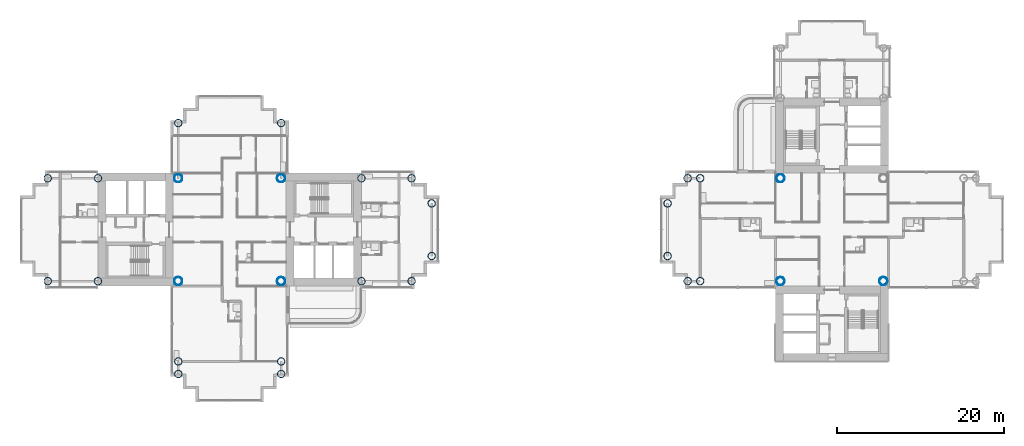
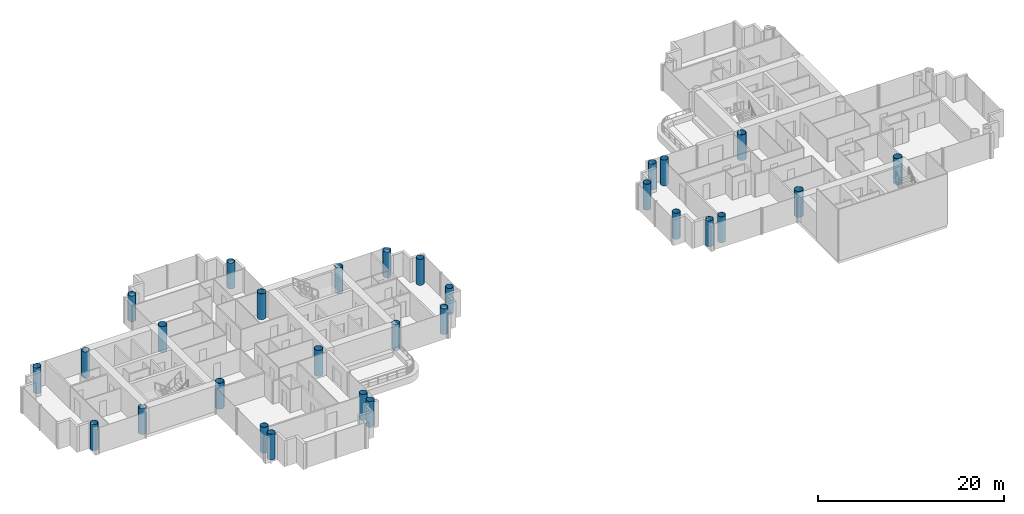
# One storey, part 1 of 21: 29 columns.
"""IFC4 building model written with IfcOpenShell, lengths in metres."""

from ifc_helpers import new_model, si_unit, direction, frame, origin, origin_2d, place, context, subcontext, project, spatial, hollow_circle, extrude, material, material_profile, profile_set, type_object, element, save


model = new_model("IFC4")

# Units and contexts
model_context = context("Model", 3, precision=1e-05, world=origin(), true_north=direction((0.0, 1.0)))
body_context = subcontext(model_context, "Body", "Model", "MODEL_VIEW")
ifc_project = project(units=[si_unit("LENGTHUNIT", "METRE"), si_unit("AREAUNIT", "SQUARE_METRE"), si_unit("VOLUMEUNIT", "CUBIC_METRE"), si_unit("PLANEANGLEUNIT", "RADIAN"), si_unit("MASSUNIT", "GRAM", prefix="KILO")], contexts=[model_context])

# Site, building, storey
site_placement = place(None, origin())
site = spatial("IfcSite", under=ifc_project, at=site_placement, CompositionType="ELEMENT")
building_placement = place(site_placement, origin())
building = spatial("IfcBuilding", under=site, at=building_placement, Name="Ipe Terrace Towers", CompositionType="ELEMENT")
storey_placement = place(building_placement, frame((0.0, 0.0, 103.800048828125)))
storey = spatial("IfcBuildingStorey", under=building, at=storey_placement, Name="L28", CompositionType="ELEMENT", Elevation=103.800048828125)

# Columns
ifc_material_1 = material(Name="Steel S355 tube with Concrete C60/75 fill", Category="concrete")
ifc_material_profile_1 = material_profile(ifc_material_1, hollow_circle(Radius=0.5, WallThickness=0.035888671875, at=origin_2d()), Name="CHS-1000x36")
ifc_profile_set_1 = profile_set([ifc_material_profile_1], Name="Steel S355 tube with Concrete C60/75 fill")
column_type_1 = type_object("IfcColumnType", Name="CH01 COLUMN CHS-1000x36", PredefinedType="COLUMN", material=ifc_profile_set_1)
for number, where, z_axis, x_axis, name in (
    (1, (-42.14990234375, -6.14990234375, 0.0), (0.0, 0.0, 1.0), (1.0, 0.0, 0.0), "Column T1-C-E01"),
    (2, (-29.85009765625, -6.14990234375, 0.0), (0.0, 0.0, 1.0), (1.0, 0.0, 0.0), "Column T1-C-E02"),
    (3, (-29.85009765625, 6.14990234375, 0.0), (0.0, 0.0, 1.0), (1.0, 0.0, 0.0), "Column T1-C-E03"),
    (4, (-42.14990234375, 6.14990234375, 0.0), (0.0, 0.0, 1.0), (1.0, 0.0, 0.0), "Column T1-C-E04"),
    (5, (42.14990234375, -6.14990234375, 0.0), (0.0, 0.0, 1.0), (1.0, 0.0, 0.0), "Column T2-C-E01"),
    (6, (29.85009765625, 6.14990234375, 0.0), (0.0, 0.0, 1.0), (1.0, 0.0, 0.0), "Column T2-C-E03"),
    (7, (29.85009765625, -6.14990234375, 0.0), (0.0, 0.0, 1.0), (1.0, 0.0, 0.0), "Column T2-C-E04"),
):
    element("IfcColumn", number, at=place(storey_placement, frame(where, z_axis=z_axis, x_axis=x_axis)), inside=storey, type_object=column_type_1, Name=name, PredefinedType="COLUMN", context=body_context, shape_type="SweptSolid", body=[
        extrude(hollow_circle(Radius=0.5, WallThickness=0.035888671875, at=origin_2d()), origin(), (0.0, 0.0, 1.0), 3.39990234375),
    ])
ifc_material_2 = material(Name="Steel S355 tube with Concrete C60/75 fill", Category="concrete")
ifc_material_profile_2 = material_profile(ifc_material_2, hollow_circle(Radius=0.449951171875, WallThickness=0.031982421875, at=origin_2d()), Name="CHS-900x32")
ifc_profile_set_2 = profile_set([ifc_material_profile_2], Name="Steel S355 tube with Concrete C60/75 fill")
column_type_2 = type_object("IfcColumnType", Name="CH10 COLUMN CHS-900x32", PredefinedType="COLUMN", material=ifc_profile_set_2)
for number, where, z_axis, x_axis, name in (
    (8, (-20.25, -6.14990234375, 0.0), (0.0, 0.0, 1.0), (1.0, 0.0, 0.0), "Column T1-C-A01"),
    (9, (-20.25, 6.14990234375, 0.0), (0.0, 0.0, 1.0), (1.0, 0.0, 0.0), "Column T1-C-A02"),
    (10, (-14.25, -6.14990234375, 0.0), (0.0, 0.0, 1.0), (1.0, 0.0, 0.0), "Column T1-C-A03"),
    (11, (-14.25, 6.14990234375, 0.0), (0.0, 0.0, 1.0), (1.0, 0.0, 0.0), "Column T1-C-A04"),
    (12, (-11.85009765625, -3.14990234375, 0.0), (0.0, 0.0, 1.0), (1.0, 0.0, 0.0), "Column T1-C-A05"),
    (13, (-11.85009765625, 3.14990234375, 0.0), (0.0, 0.0, 1.0), (1.0, 0.0, 0.0), "Column T1-C-A06"),
    (14, (-29.85009765625, 12.75, 0.0), (0.0, 0.0, 1.0), (1.0, 0.0, 0.0), "Column T1-C-B01"),
    (15, (-42.14990234375, 12.75, 0.0), (0.0, 0.0, 1.0), (1.0, 0.0, 0.0), "Column T1-C-B02"),
    (16, (-51.75, -6.14990234375, 0.0), (0.0, 0.0, 1.0), (1.0, 0.0, 0.0), "Column T1-C-C01"),
    (17, (-51.75, 6.14990234375, 0.0), (0.0, 0.0, 1.0), (1.0, 0.0, 0.0), "Column T1-C-C02"),
    (18, (-57.75, -6.14990234375, 0.0), (0.0, 0.0, 1.0), (1.0, 0.0, 0.0), "Column T1-C-C03"),
    (19, (-57.75, 6.14990234375, 0.0), (0.0, 0.0, 1.0), (1.0, 0.0, 0.0), "Column T1-C-C04"),
    (20, (-42.14990234375, -15.75, 0.0), (0.0, 0.0, 1.0), (1.0, 0.0, 0.0), "Column T1-C-D03"),
    (21, (-29.85009765625, -15.75, 0.0), (0.0, 0.0, 1.0), (1.0, 0.0, 0.0), "Column T1-C-D04"),
    (22, (-42.14990234375, -17.25, 0.0), (0.0, 0.0, 1.0), (1.0, 0.0, 0.0), "Column T1-C-D05"),
    (23, (-29.85009765625, -17.25, 0.0), (0.0, 0.0, 1.0), (1.0, 0.0, 0.0), "Column T1-C-D06"),
    (24, (20.25, 6.14990234375, 0.0), (0.0, 0.0, 1.0), (1.0, 0.0, 0.0), "Column T2-C-B03"),
    (25, (20.25, -6.14990234375, 0.0), (0.0, 0.0, 1.0), (1.0, 0.0, 0.0), "Column T2-C-B04"),
    (26, (18.75, 6.14990234375, 0.0), (0.0, 0.0, 1.0), (1.0, 0.0, 0.0), "Column T2-C-B05"),
    (27, (18.75, -6.14990234375, 0.0), (0.0, 0.0, 1.0), (1.0, 0.0, 0.0), "Column T2-C-B06"),
    (28, (16.35009765625, 3.14990234375, 0.0), (0.0, 0.0, 1.0), (1.0, 0.0, 0.0), "Column T2-C-B07"),
    (29, (16.35009765625, -3.14990234375, 0.0), (0.0, 0.0, 1.0), (1.0, 0.0, 0.0), "Column T2-C-B08"),
):
    element("IfcColumn", number, at=place(storey_placement, frame(where, z_axis=z_axis, x_axis=x_axis)), inside=storey, type_object=column_type_2, Name=name, PredefinedType="COLUMN", context=body_context, shape_type="SweptSolid", body=[
        extrude(hollow_circle(Radius=0.449951171875, WallThickness=0.031982421875, at=origin_2d()), origin(), (0.0, 0.0, 1.0), 3.39990234375),
    ])

save(model, "model.ifc")
